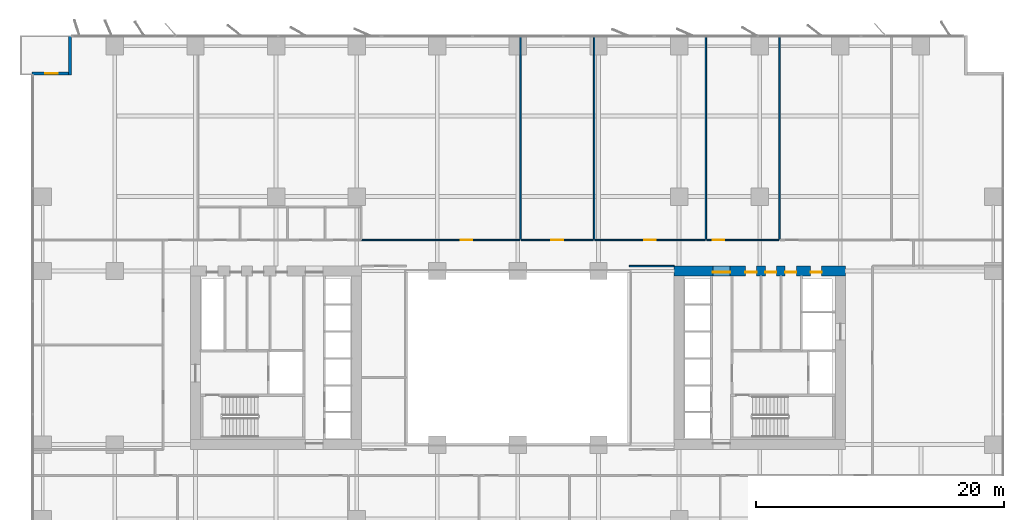
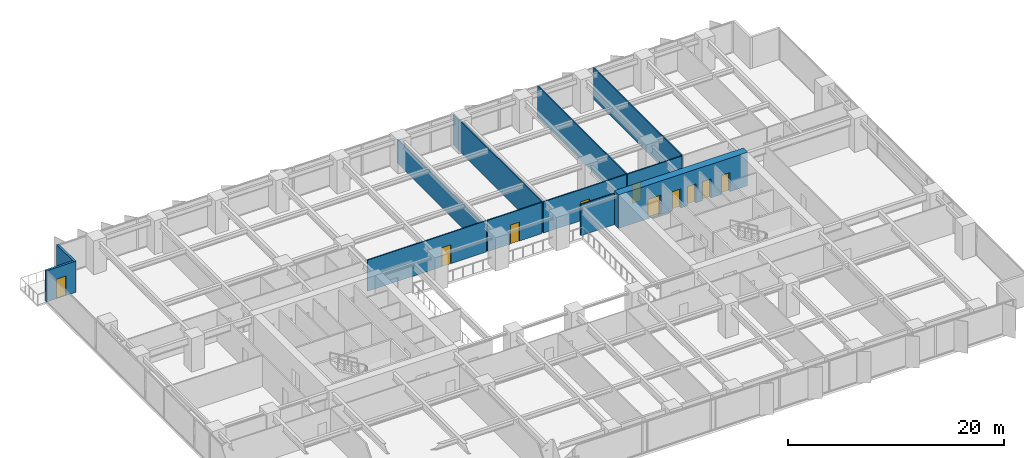
# One storey, part 15 of 20: 12 walls, 10 doors, 10 openings.
"""IFC4 building model written with IfcOpenShell, lengths in metres."""

from ifc_helpers import new_model, si_unit, direction, frame, frame_2d, origin, place, context, subcontext, project, spatial, rectangle, extrude, material, layer, layer_set, type_object, element, fill, save


model = new_model("IFC4")

# Units and contexts
model_context = context("Model", 3, precision=1e-05, world=origin(), true_north=direction((0.0, 1.0)))
body_context = subcontext(model_context, "Body", "Model", "MODEL_VIEW")
ifc_project = project(units=[si_unit("LENGTHUNIT", "METRE"), si_unit("AREAUNIT", "SQUARE_METRE"), si_unit("VOLUMEUNIT", "CUBIC_METRE"), si_unit("PLANEANGLEUNIT", "RADIAN"), si_unit("MASSUNIT", "GRAM", prefix="KILO")], contexts=[model_context])

# Site, building, storey
site_placement = place(None, origin())
site = spatial("IfcSite", under=ifc_project, at=site_placement, CompositionType="ELEMENT")
building_placement = place(site_placement, origin())
building = spatial("IfcBuilding", under=site, at=building_placement, Name="Putna Gate Headquarters", CompositionType="ELEMENT")
storey_placement = place(building_placement, frame((0.0, 0.0, 77.199951171875)))
storey = spatial("IfcBuildingStorey", under=building, at=storey_placement, Name="L18", CompositionType="ELEMENT", Elevation=77.199951171875)

# Wall, openings, doors
ifc_material_1 = material(Name="Concrete C60/75", Category="concrete")
ifc_layer_1 = layer(ifc_material_1, 0.800048828125)
ifc_layer_set_1 = layer_set([ifc_layer_1], Name="Concrete C60/75")
wall_type_1 = type_object("IfcWallType", Name="WALL-CORE-800", PredefinedType="SHEAR", material=ifc_layer_set_1)
wall_1_placement = place(storey_placement, frame((51.60009765625, 33.0, 0.0), z_axis=(0.0, 0.0, 1.0), x_axis=(1.0, 0.0, 0.0)))
wall_1 = element("IfcWall", 1, at=wall_1_placement, inside=storey, type_object=wall_type_1, Name="L18 EC Split Core Shear Wall N", PredefinedType="SHEAR", context=body_context, shape_type="SweptSolid", body=[
    extrude(rectangle(XDim=13.7998046875, YDim=0.800048828125, at=frame_2d((6.89990234375, 0.0))), origin(), (0.0, 0.0, 1.0), 3.800048828125),
])
opening_1_placement = place(wall_1_placement, frame((3.1201171875, 0.0, 0.0)))
opening_1 = element("IfcOpeningElement", 2, at=opening_1_placement, cuts=wall_1, Name="Opening FDD-140", PredefinedType="OPENING", context=body_context, shape_type="SweptSolid", body=[
    extrude(rectangle(XDim=1.39990234375, YDim=2.199951171875, at=frame_2d((0.699951171875, 1.10009765625))), frame((0.0, 0.409912109375, 0.0), z_axis=(0.0, -1.0, 0.0), x_axis=(1.0, 0.0, 0.0)), (0.0, 0.0, 1.0), 0.820068359375),
])
opening_2_placement = place(wall_1_placement, frame((11.0, 0.0, 0.0)))
opening_2 = element("IfcOpeningElement", 3, at=opening_2_placement, cuts=wall_1, Name="Opening RD-90", PredefinedType="OPENING", context=body_context, shape_type="SweptSolid", body=[
    extrude(rectangle(XDim=0.89990234375, YDim=2.14990234375, at=frame_2d((0.449951171875, 1.074951171875))), frame((0.0, 0.409912109375, 0.0), z_axis=(0.0, -1.0, 0.0), x_axis=(1.0, 0.0, 0.0)), (0.0, 0.0, 1.0), 0.820068359375),
])
opening_3_placement = place(wall_1_placement, frame((5.75, 0.0, 0.0)))
opening_3 = element("IfcOpeningElement", 4, at=opening_3_placement, cuts=wall_1, Name="Opening IDS-90", PredefinedType="OPENING", context=body_context, shape_type="SweptSolid", body=[
    extrude(rectangle(XDim=0.89990234375, YDim=2.14990234375, at=frame_2d((0.449951171875, 1.074951171875))), frame((0.0, 0.409912109375, 0.0), z_axis=(0.0, -1.0, 0.0), x_axis=(1.0, 0.0, 0.0)), (0.0, 0.0, 1.0), 0.820068359375),
])
opening_4_placement = place(wall_1_placement, frame((7.35009765625, 0.0, 0.0)))
opening_4 = element("IfcOpeningElement", 5, at=opening_4_placement, cuts=wall_1, Name="Opening IDS-90", PredefinedType="OPENING", context=body_context, shape_type="SweptSolid", body=[
    extrude(rectangle(XDim=0.89990234375, YDim=2.14990234375, at=frame_2d((0.449951171875, 1.074951171875))), frame((0.0, 0.409912109375, 0.0), z_axis=(0.0, -1.0, 0.0), x_axis=(1.0, 0.0, 0.0)), (0.0, 0.0, 1.0), 0.820068359375),
])
opening_5_placement = place(wall_1_placement, frame((8.949951171875, 0.0, 0.0)))
opening_5 = element("IfcOpeningElement", 6, at=opening_5_placement, cuts=wall_1, Name="Opening IDS-90", PredefinedType="OPENING", context=body_context, shape_type="SweptSolid", body=[
    extrude(rectangle(XDim=0.89990234375, YDim=2.14990234375, at=frame_2d((0.449951171875, 1.074951171875))), frame((0.0, 0.409912109375, 0.0), z_axis=(0.0, -1.0, 0.0), x_axis=(1.0, 0.0, 0.0)), (0.0, 0.0, 1.0), 0.820068359375),
])
ifc_material_2 = material(Name="Double steel fire door", Category="steel")
door_type_1 = type_object("IfcDoorType", Name="DOOR-FIRE-DBL-1400", OperationType="DOUBLE_DOOR_SINGLE_SWING", PredefinedType="DOOR", material=ifc_material_2)
door_1_placement = place(opening_1_placement, origin())
door_1 = element("IfcDoor", 7, at=door_1_placement, inside=storey, type_object=door_type_1, Name="L18 East Lift Lobby North Door", OperationType="DOUBLE_DOOR_SINGLE_SWING", OverallHeight=2.199951171875, OverallWidth=1.39990234375, PredefinedType="DOOR", context=body_context, shape_type="SweptSolid", body=[
    extrude(rectangle(XDim=1.39990234375, YDim=2.199951171875, at=frame_2d((0.699951171875, 1.10009765625))), frame((0.0, -0.0751953125, 0.0), z_axis=(0.0, -1.0, 0.0), x_axis=(1.0, 0.0, 0.0)), (0.0, 0.0, 1.0), 0.050048828125),
])
fill(opening_1, door_1)
ifc_material_3 = material(Name="Fire-rated utility door")
door_type_2 = type_object("IfcDoorType", Name="DOOR-INT-900", OperationType="NOTDEFINED", PredefinedType="DOOR", material=ifc_material_3)
door_2_placement = place(opening_3_placement, origin())
door_2 = element("IfcDoor", 8, at=door_2_placement, inside=storey, type_object=door_type_2, Name="L18 East Cleaner Store Door", OperationType="SINGLE_SWING_RIGHT", OverallHeight=2.14990234375, OverallWidth=0.89990234375, PredefinedType="DOOR", context=body_context, shape_type="SweptSolid", body=[
    extrude(rectangle(XDim=0.89990234375, YDim=2.14990234375, at=frame_2d((0.449951171875, 1.074951171875))), frame((0.0, -0.0751953125, 0.0), z_axis=(0.0, -1.0, 0.0), x_axis=(1.0, 0.0, 0.0)), (0.0, 0.0, 1.0), 0.050048828125),
])
fill(opening_3, door_2)
door_3_placement = place(opening_4_placement, origin())
door_3 = element("IfcDoor", 9, at=door_3_placement, inside=storey, type_object=door_type_2, Name="L18 BMS Outstation Door", OperationType="SINGLE_SWING_LEFT", OverallHeight=2.14990234375, OverallWidth=0.89990234375, PredefinedType="DOOR", context=body_context, shape_type="SweptSolid", body=[
    extrude(rectangle(XDim=0.89990234375, YDim=2.14990234375, at=frame_2d((0.449951171875, 1.074951171875))), frame((0.0, -0.0751953125, 0.0), z_axis=(0.0, -1.0, 0.0), x_axis=(1.0, 0.0, 0.0)), (0.0, 0.0, 1.0), 0.050048828125),
])
fill(opening_4, door_3)
door_4_placement = place(opening_5_placement, origin())
door_4 = element("IfcDoor", 10, at=door_4_placement, inside=storey, type_object=door_type_2, Name="L18 Facilities Equipment Store Door", OperationType="SINGLE_SWING_RIGHT", OverallHeight=2.14990234375, OverallWidth=0.89990234375, PredefinedType="DOOR", context=body_context, shape_type="SweptSolid", body=[
    extrude(rectangle(XDim=0.89990234375, YDim=2.14990234375, at=frame_2d((0.449951171875, 1.074951171875))), frame((0.0, -0.0751953125, 0.0), z_axis=(0.0, -1.0, 0.0), x_axis=(1.0, 0.0, 0.0)), (0.0, 0.0, 1.0), 0.050048828125),
])
fill(opening_5, door_4)
ifc_material_4 = material(Name="Steel riser access fire door", Category="steel")
door_type_3 = type_object("IfcDoorType", Name="DOOR-RISER-900", OperationType="NOTDEFINED", PredefinedType="DOOR", material=ifc_material_4)
door_5_placement = place(opening_2_placement, origin())
door_5 = element("IfcDoor", 11, at=door_5_placement, inside=storey, type_object=door_type_3, Name="L18 East Riser Access Door", OperationType="SINGLE_SWING_LEFT", OverallHeight=2.14990234375, OverallWidth=0.89990234375, PredefinedType="DOOR", context=body_context, shape_type="SweptSolid", body=[
    extrude(rectangle(XDim=0.89990234375, YDim=2.14990234375, at=frame_2d((0.449951171875, 1.074951171875))), frame((0.0, -0.0751953125, 0.0), z_axis=(0.0, -1.0, 0.0), x_axis=(1.0, 0.0, 0.0)), (0.0, 0.0, 1.0), 0.050048828125),
])
fill(opening_2, door_5)

# Wall
ifc_material_5 = material(Name="Precast concrete C40/50", Category="concrete")
ifc_layer_2 = layer(ifc_material_5, 0.239990234375)
ifc_layer_set_2 = layer_set([ifc_layer_2], Name="Precast concrete C40/50")
wall_type_2 = type_object("IfcWallType", Name="WALL-EXT-TERR-240", PredefinedType="STANDARD", material=ifc_layer_set_2)
wall_2_placement = place(storey_placement, frame((2.8798828125, 48.800048828125, 0.0), z_axis=(0.0, 0.0, 1.0), x_axis=(0.0, 1.0, 0.0)))
element("IfcWall", 12, at=wall_2_placement, inside=storey, type_object=wall_type_2, Name="L18 Corner Notch Return Wall NW-V", PredefinedType="STANDARD", context=body_context, shape_type="SweptSolid", body=[
    extrude(rectangle(XDim=3.199951171875, YDim=0.239990234375, at=frame_2d((1.60009765625, 0.0))), origin(), (0.0, 0.0, 1.0), 3.52001953125),
])

# Wall, opening, door
wall_3_placement = place(storey_placement, frame((-0.199951171875, 48.919921875, 0.0), z_axis=(0.0, 0.0, 1.0), x_axis=(1.0, 0.0, 0.0)))
wall_3 = element("IfcWall", 13, at=wall_3_placement, inside=storey, type_object=wall_type_2, Name="L18 Corner Notch Return Wall NW-H", PredefinedType="STANDARD", context=body_context, shape_type="SweptSolid", body=[
    extrude(rectangle(XDim=3.199951171875, YDim=0.239990234375, at=frame_2d((1.60009765625, 0.0))), origin(), (0.0, 0.0, 1.0), 3.52001953125),
])
opening_6_placement = place(wall_3_placement, frame((1.10009765625, 0.0, 0.0)))
opening_6 = element("IfcOpeningElement", 14, at=opening_6_placement, cuts=wall_3, Name="Opening TRD-1", PredefinedType="OPENING", context=body_context, shape_type="SweptSolid", body=[
    extrude(rectangle(XDim=1.0, YDim=2.199951171875, at=frame_2d((0.5, 1.10009765625))), frame((0.0, 0.1298828125, 0.0), z_axis=(0.0, -1.0, 0.0), x_axis=(1.0, 0.0, 0.0)), (0.0, 0.0, 1.0), 0.260009765625),
])
ifc_material_6 = material(Name="Thermally broken bronze glazed terrace door")
door_type_4 = type_object("IfcDoorType", Name="DOOR-TERR-EXT-1000", OperationType="NOTDEFINED", PredefinedType="DOOR", material=ifc_material_6)
door_6_placement = place(opening_6_placement, origin())
door_6 = element("IfcDoor", 15, at=door_6_placement, inside=storey, type_object=door_type_4, Name="L18 Spiral Sky Terrace Door NW", OperationType="SINGLE_SWING_RIGHT", OverallHeight=2.199951171875, OverallWidth=1.0, PredefinedType="DOOR", context=body_context, shape_type="SweptSolid", body=[
    extrude(rectangle(XDim=1.0, YDim=2.199951171875, at=frame_2d((0.5, 1.10009765625))), frame((0.0, 0.02490234375, 0.0), z_axis=(0.0, -1.0, 0.0), x_axis=(1.0, 0.0, 0.0)), (0.0, 0.0, 1.0), 0.050048828125),
])
fill(opening_6, door_6)

# Walls
ifc_material_7 = material(Name="Acoustic gypsum board on metal stud")
ifc_layer_3 = layer(ifc_material_7, 0.1201171875)
ifc_layer_set_3 = layer_set([ifc_layer_3], Name="Acoustic gypsum board on metal stud")
wall_type_3 = type_object("IfcWallType", Name="WALL-PART-120", PredefinedType="PARTITIONING", material=ifc_layer_set_3)
wall_4_placement = place(storey_placement, frame((48.0, 33.39990234375, 0.0), z_axis=(0.0, 0.0, 1.0), x_axis=(1.0, 0.0, 0.0)))
element("IfcWall", 16, at=wall_4_placement, inside=storey, type_object=wall_type_3, Name="L18 Interior Wall PART-L18-ATR-E-N", PredefinedType="PARTITIONING", context=body_context, shape_type="SweptSolid", body=[
    extrude(rectangle(XDim=3.60009765625, YDim=0.1201171875, at=frame_2d((1.800048828125, 0.0))), origin(), (0.0, 0.0, 1.0), 3.52001953125),
])
wall_5_placement = place(storey_placement, frame((39.199951171875, 35.56005859375, 0.0), z_axis=(0.0, 0.0, 1.0), x_axis=(0.0, 1.0, 0.0)))
element("IfcWall", 17, at=wall_5_placement, inside=storey, type_object=wall_type_3, Name="L18 Interior Wall PART-L18-NB-DIV-02", PredefinedType="PARTITIONING", context=body_context, shape_type="SweptSolid", body=[
    extrude(rectangle(XDim=16.419921875, YDim=0.1201171875, at=frame_2d((8.2099609375, 0.0))), origin(), (0.0, 0.0, 1.0), 2.719970703125),
])
for number, where, z_axis, x_axis, name in (
    (18, (45.138427734375, 35.56005859375, 0.0), (0.0, 0.0, 1.0), (0.0, 1.0, 0.0), "L18 Interior Wall PART-L18-NB-DIV-03"),
    (19, (54.156005859375, 35.56005859375, 0.0), (0.0, 0.0, 1.0), (0.0, 1.0, 0.0), "L18 Interior Wall PART-L18-NB-DIV-04"),
    (20, (60.094482421875, 35.56005859375, 0.0), (0.0, 0.0, 1.0), (0.0, 1.0, 0.0), "L18 Interior Wall PART-L18-NB-DIV-05"),
):
    element("IfcWall", number, at=place(storey_placement, frame(where, z_axis=z_axis, x_axis=x_axis)), inside=storey, type_object=wall_type_3, Name=name, PredefinedType="PARTITIONING", context=body_context, shape_type="SweptSolid", body=[
        extrude(rectangle(XDim=16.419921875, YDim=0.1201171875, at=frame_2d((8.2099609375, 0.0))), origin(), (0.0, 0.0, 1.0), 3.52001953125),
    ])

# Wall, opening, door
ifc_material_8 = material(Name="Fire-rated gypsum board on metal stud")
ifc_layer_4 = layer(ifc_material_8, 0.1201171875)
ifc_layer_set_4 = layer_set([ifc_layer_4], Name="Fire-rated gypsum board on metal stud")
wall_type_4 = type_object("IfcWallType", Name="WALL-PART-120-RATED", PredefinedType="PARTITIONING", material=ifc_layer_set_4)
wall_6_placement = place(storey_placement, frame((26.419921875, 35.5, 0.0), z_axis=(0.0, 0.0, 1.0), x_axis=(1.0, 0.0, 0.0)))
wall_6 = element("IfcWall", 21, at=wall_6_placement, inside=storey, type_object=wall_type_4, Name="L18 Interior Wall PART-L18-NB-CW-02", PredefinedType="PARTITIONING", context=body_context, shape_type="SweptSolid", body=[
    extrude(rectangle(XDim=12.719970703125, YDim=0.1201171875, at=frame_2d((6.35986328125, 0.0))), origin(), (0.0, 0.0, 1.0), 3.52001953125),
])
opening_7_placement = place(wall_6_placement, frame((7.9541015625, 0.0, 0.0)))
opening_7 = element("IfcOpeningElement", 22, at=opening_7_placement, cuts=wall_6, Name="Opening FD-95", PredefinedType="OPENING", context=body_context, shape_type="SweptSolid", body=[
    extrude(rectangle(XDim=0.949951171875, YDim=2.14990234375, at=frame_2d((0.47509765625, 1.074951171875))), frame((0.0, 0.070068359375, 0.0), z_axis=(0.0, -1.0, 0.0), x_axis=(1.0, 0.0, 0.0)), (0.0, 0.0, 1.0), 0.14013671875),
])
ifc_material_9 = material(Name="Acoustic timber fire door", Category="wood")
door_type_5 = type_object("IfcDoorType", Name="DOOR-FIRE-950", OperationType="NOTDEFINED", PredefinedType="DOOR", material=ifc_material_9)
door_7_placement = place(opening_7_placement, origin())
door_7 = element("IfcDoor", 23, at=door_7_placement, inside=storey, type_object=door_type_5, Name="L18 Primary Open Office Workplace Door", OperationType="SINGLE_SWING_LEFT", OverallHeight=2.14990234375, OverallWidth=0.949951171875, PredefinedType="DOOR", context=body_context, shape_type="SweptSolid", body=[
    extrude(rectangle(XDim=0.949951171875, YDim=2.14990234375, at=frame_2d((0.47509765625, 1.074951171875))), frame((0.0, 0.02490234375, 0.0), z_axis=(0.0, -1.0, 0.0), x_axis=(1.0, 0.0, 0.0)), (0.0, 0.0, 1.0), 0.050048828125),
])
fill(opening_7, door_7)

wall_7_placement = place(storey_placement, frame((39.260009765625, 35.5, 0.0), z_axis=(0.0, 0.0, 1.0), x_axis=(1.0, 0.0, 0.0)))
wall_7 = element("IfcWall", 24, at=wall_7_placement, inside=storey, type_object=wall_type_4, Name="L18 Interior Wall PART-L18-NB-CW-03", PredefinedType="PARTITIONING", context=body_context, shape_type="SweptSolid", body=[
    extrude(rectangle(XDim=5.818603515625, YDim=0.1201171875, at=frame_2d((2.9091796875, 0.0))), origin(), (0.0, 0.0, 1.0), 3.52001953125),
])
opening_8_placement = place(wall_7_placement, frame((2.434326171875, 0.0, 0.0)))
opening_8 = element("IfcOpeningElement", 25, at=opening_8_placement, cuts=wall_7, Name="Opening FD-95", PredefinedType="OPENING", context=body_context, shape_type="SweptSolid", body=[
    extrude(rectangle(XDim=0.949951171875, YDim=2.14990234375, at=frame_2d((0.47509765625, 1.074951171875))), frame((0.0, 0.070068359375, 0.0), z_axis=(0.0, -1.0, 0.0), x_axis=(1.0, 0.0, 0.0)), (0.0, 0.0, 1.0), 0.14013671875),
])
door_8_placement = place(opening_8_placement, origin())
door_8 = element("IfcDoor", 26, at=door_8_placement, inside=storey, type_object=door_type_5, Name="L18 Conference Meeting Room 2 Door", OperationType="SINGLE_SWING_RIGHT", OverallHeight=2.14990234375, OverallWidth=0.949951171875, PredefinedType="DOOR", context=body_context, shape_type="SweptSolid", body=[
    extrude(rectangle(XDim=0.949951171875, YDim=2.14990234375, at=frame_2d((0.47509765625, 1.074951171875))), frame((0.0, 0.02490234375, 0.0), z_axis=(0.0, -1.0, 0.0), x_axis=(1.0, 0.0, 0.0)), (0.0, 0.0, 1.0), 0.050048828125),
])
fill(opening_8, door_8)

wall_8_placement = place(storey_placement, frame((45.198486328125, 35.5, 0.0), z_axis=(0.0, 0.0, 1.0), x_axis=(1.0, 0.0, 0.0)))
wall_8 = element("IfcWall", 27, at=wall_8_placement, inside=storey, type_object=wall_type_4, Name="L18 Interior Wall PART-L18-NB-CW-04", PredefinedType="PARTITIONING", context=body_context, shape_type="SweptSolid", body=[
    extrude(rectangle(XDim=8.897705078125, YDim=0.1201171875, at=frame_2d((4.44873046875, 0.0))), origin(), (0.0, 0.0, 1.0), 3.52001953125),
])
opening_9_placement = place(wall_8_placement, frame((3.973876953125, 0.0, 0.0)))
opening_9 = element("IfcOpeningElement", 28, at=opening_9_placement, cuts=wall_8, Name="Opening FD-95", PredefinedType="OPENING", context=body_context, shape_type="SweptSolid", body=[
    extrude(rectangle(XDim=0.949951171875, YDim=2.14990234375, at=frame_2d((0.47509765625, 1.074951171875))), frame((0.0, 0.070068359375, 0.0), z_axis=(0.0, -1.0, 0.0), x_axis=(1.0, 0.0, 0.0)), (0.0, 0.0, 1.0), 0.14013671875),
])
door_9_placement = place(opening_9_placement, origin())
door_9 = element("IfcDoor", 29, at=door_9_placement, inside=storey, type_object=door_type_5, Name="L18 Conference Meeting Room 3 Door", OperationType="SINGLE_SWING_LEFT", OverallHeight=2.14990234375, OverallWidth=0.949951171875, PredefinedType="DOOR", context=body_context, shape_type="SweptSolid", body=[
    extrude(rectangle(XDim=0.949951171875, YDim=2.14990234375, at=frame_2d((0.47509765625, 1.074951171875))), frame((0.0, 0.02490234375, 0.0), z_axis=(0.0, -1.0, 0.0), x_axis=(1.0, 0.0, 0.0)), (0.0, 0.0, 1.0), 0.050048828125),
])
fill(opening_9, door_9)

wall_9_placement = place(storey_placement, frame((54.216064453125, 35.5, 0.0), z_axis=(0.0, 0.0, 1.0), x_axis=(1.0, 0.0, 0.0)))
wall_9 = element("IfcWall", 30, at=wall_9_placement, inside=storey, type_object=wall_type_4, Name="L18 Interior Wall PART-L18-NB-CW-05", PredefinedType="PARTITIONING", context=body_context, shape_type="SweptSolid", body=[
    extrude(rectangle(XDim=5.818603515625, YDim=0.1201171875, at=frame_2d((2.9091796875, 0.0))), origin(), (0.0, 0.0, 1.0), 3.52001953125),
])
opening_10_placement = place(wall_9_placement, frame((0.47998046875, 0.0, 0.0)))
opening_10 = element("IfcOpeningElement", 31, at=opening_10_placement, cuts=wall_9, Name="Opening FD-95", PredefinedType="OPENING", context=body_context, shape_type="SweptSolid", body=[
    extrude(rectangle(XDim=0.949951171875, YDim=2.14990234375, at=frame_2d((0.47509765625, 1.074951171875))), frame((0.0, 0.070068359375, 0.0), z_axis=(0.0, -1.0, 0.0), x_axis=(1.0, 0.0, 0.0)), (0.0, 0.0, 1.0), 0.14013671875),
])
door_10_placement = place(opening_10_placement, origin())
door_10 = element("IfcDoor", 32, at=door_10_placement, inside=storey, type_object=door_type_5, Name="L18 Conference Meeting Room 4 Door", OperationType="SINGLE_SWING_RIGHT", OverallHeight=2.14990234375, OverallWidth=0.949951171875, PredefinedType="DOOR", context=body_context, shape_type="SweptSolid", body=[
    extrude(rectangle(XDim=0.949951171875, YDim=2.14990234375, at=frame_2d((0.47509765625, 1.074951171875))), frame((0.0, 0.02490234375, 0.0), z_axis=(0.0, -1.0, 0.0), x_axis=(1.0, 0.0, 0.0)), (0.0, 0.0, 1.0), 0.050048828125),
])
fill(opening_10, door_10)

save(model, "model.ifc")
